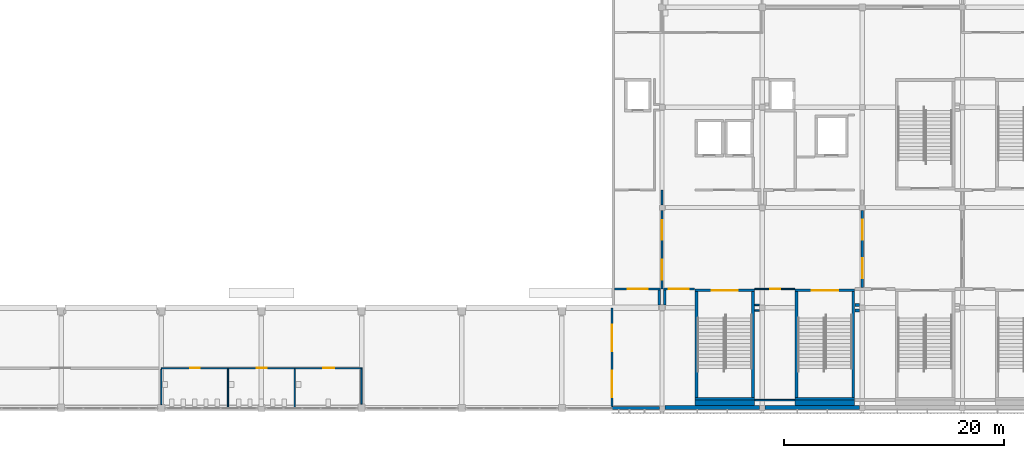
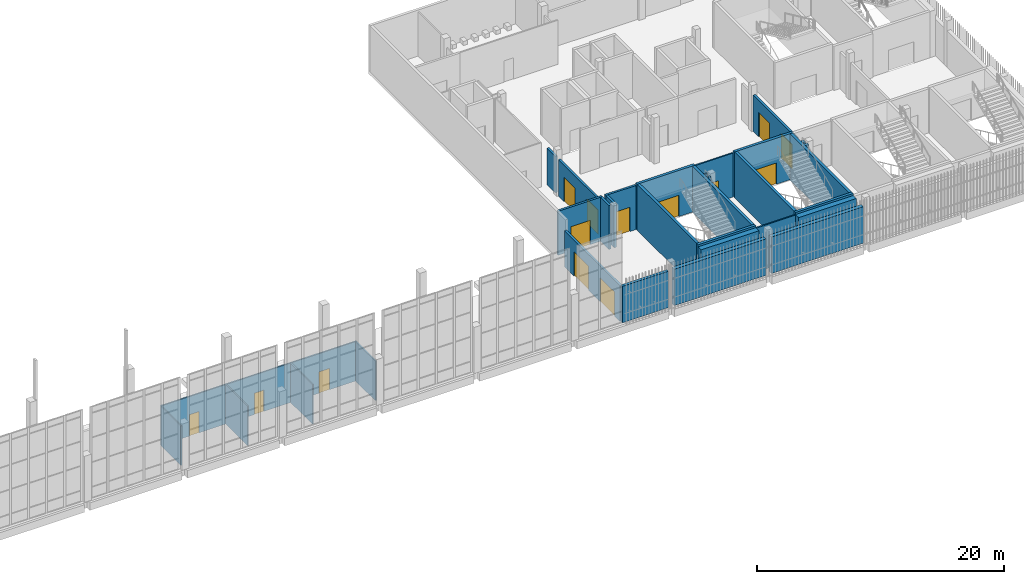
# One storey, part 44 of 91: 32 walls, 14 doors, 14 openings.
"""IFC4 building model written with IfcOpenShell, lengths in metres."""

from ifc_helpers import new_model, si_unit, direction, frame, frame_2d, origin, place, context, subcontext, project, spatial, rectangle, extrude, material, layer, layer_set, type_object, element, fill, save


model = new_model("IFC4")

# Units and contexts
model_context = context("Model", 3, precision=1e-05, world=origin(), true_north=direction((0.0, 1.0)))
body_context = subcontext(model_context, "Body", "Model", "MODEL_VIEW")
ifc_project = project(units=[si_unit("LENGTHUNIT", "METRE"), si_unit("AREAUNIT", "SQUARE_METRE"), si_unit("VOLUMEUNIT", "CUBIC_METRE"), si_unit("PLANEANGLEUNIT", "RADIAN"), si_unit("MASSUNIT", "GRAM", prefix="KILO")], contexts=[model_context])

# Site, building, storey
site_placement = place(None, origin())
site = spatial("IfcSite", under=ifc_project, at=site_placement, CompositionType="ELEMENT")
building_placement = place(site_placement, origin())
building = spatial("IfcBuilding", under=site, at=building_placement, Name="Shirokan Park Arena", CompositionType="ELEMENT")
storey_placement = place(building_placement, frame((0.0, 0.0, 24.570068359375)))
storey = spatial("IfcBuildingStorey", under=building, at=storey_placement, Name="L05", CompositionType="ELEMENT", Elevation=24.570068359375)

# Wall, openings, doors
ifc_material_1 = material(Name="Gypsum board")
ifc_layer_1 = layer(ifc_material_1, 0.02490234375, Name="Gypsum board, two layers")
ifc_material_2 = material(Name="Mineral wool insulation")
ifc_layer_2 = layer(ifc_material_2, 0.14990234375, Name="Mineral wool insulation")
ifc_layer_3 = layer(ifc_material_1, 0.02490234375, Name="Gypsum board, two layers")
ifc_layer_set_1 = layer_set([ifc_layer_1, ifc_layer_2, ifc_layer_3], Name="Gypsum board, two layers + Mineral wool insulation")
wall_type_1 = type_object("IfcWallType", Name="Corridor wall 200", PredefinedType="PARTITIONING", material=ifc_layer_set_1)
wall_1_placement = place(storey_placement, frame((104.64990234375, 0.10009765625, 0.0), z_axis=(0.0, 0.0, 1.0), x_axis=(0.0, 1.0, 0.0)))
wall_1 = element("IfcWall", 1, at=wall_1_placement, inside=storey, type_object=wall_type_1, Name="Corridor wall 200 L05", PredefinedType="PARTITIONING", context=body_context, shape_type="SweptSolid", body=[
    extrude(rectangle(XDim=8.969970703125, YDim=0.199951171875, at=frame_2d((4.48486328125, 0.0))), origin(), (0.0, 0.0, 1.0), 3.550048828125),
])
opening_1_placement = place(wall_1_placement, frame((5.050048828125, 0.0, 0.0)))
opening_1 = element("IfcOpeningElement", 2, at=opening_1_placement, cuts=wall_1, Name="Opening D-5091", PredefinedType="OPENING", context=body_context, shape_type="SweptSolid", body=[
    extrude(rectangle(XDim=2.39990234375, YDim=2.39990234375, at=frame_2d((1.199951171875, 1.199951171875))), frame((0.0, 0.10986328125, 0.0), z_axis=(0.0, -1.0, 0.0), x_axis=(1.0, 0.0, 0.0)), (0.0, 0.0, 1.0), 0.219970703125),
])
opening_2_placement = place(wall_1_placement, frame((0.85009765625, 0.0, 0.0)))
opening_2 = element("IfcOpeningElement", 3, at=opening_2_placement, cuts=wall_1, Name="Opening D-5092", PredefinedType="OPENING", context=body_context, shape_type="SweptSolid", body=[
    extrude(rectangle(XDim=2.39990234375, YDim=2.39990234375, at=frame_2d((1.199951171875, 1.199951171875))), frame((0.0, 0.10986328125, 0.0), z_axis=(0.0, -1.0, 0.0), x_axis=(1.0, 0.0, 0.0)), (0.0, 0.0, 1.0), 0.219970703125),
])
ifc_material_3 = material(Name="Steel door set, fire resisting", Category="steel")
door_type_1 = type_object("IfcDoorType", Name="Double door 2400 x 2400", OperationType="DOUBLE_DOOR_SINGLE_SWING", PredefinedType="DOOR", material=ifc_material_3)
door_1_placement = place(opening_1_placement, origin())
door_1 = element("IfcDoor", 4, at=door_1_placement, inside=storey, type_object=door_type_1, Name="Door between Ring Link 2.5 and Concourse L05 South Hall D-5091", OperationType="DOUBLE_DOOR_SINGLE_SWING", OverallHeight=2.39990234375, OverallWidth=2.39990234375, PredefinedType="DOOR", context=body_context, shape_type="SweptSolid", body=[
    extrude(rectangle(XDim=2.39990234375, YDim=2.39990234375, at=frame_2d((1.199951171875, 1.199951171875))), frame((0.0, 0.02490234375, 0.0), z_axis=(0.0, -1.0, 0.0), x_axis=(1.0, 0.0, 0.0)), (0.0, 0.0, 1.0), 0.050048828125),
])
fill(opening_1, door_1)
door_2_placement = place(opening_2_placement, origin())
door_2 = element("IfcDoor", 5, at=door_2_placement, inside=storey, type_object=door_type_1, Name="Door between Ring Link 2.5 and Concourse L05 South Hall D-5092", OperationType="DOUBLE_DOOR_SINGLE_SWING", OverallHeight=2.39990234375, OverallWidth=2.39990234375, PredefinedType="DOOR", context=body_context, shape_type="SweptSolid", body=[
    extrude(rectangle(XDim=2.39990234375, YDim=2.39990234375, at=frame_2d((1.199951171875, 1.199951171875))), frame((0.0, 0.02490234375, 0.0), z_axis=(0.0, -1.0, 0.0), x_axis=(1.0, 0.0, 0.0)), (0.0, 0.0, 1.0), 0.050048828125),
])
fill(opening_2, door_2)

# Wall
wall_2_placement = place(storey_placement, frame((108.949951171875, 9.35009765625, 0.0), z_axis=(0.0, 0.0, 1.0), x_axis=(0.0, 1.0, 0.0)))
element("IfcWall", 6, at=wall_2_placement, inside=storey, type_object=wall_type_1, Name="Corridor wall 200 L05", PredefinedType="PARTITIONING", context=body_context, shape_type="SweptSolid", body=[
    extrude(rectangle(XDim=1.349853515625, YDim=0.199951171875, at=frame_2d((0.6748046875, 0.0))), origin(), (0.0, 0.0, 1.0), 4.349853515625),
])

# Wall, opening, door
wall_3_placement = place(storey_placement, frame((109.050048828125, 10.800048828125, 0.0), z_axis=(0.0, 0.0, 1.0), x_axis=(-1.0, 0.0, 0.0)))
wall_3 = element("IfcWall", 7, at=wall_3_placement, inside=storey, type_object=wall_type_1, Name="Corridor wall 200 L05", PredefinedType="PARTITIONING", context=body_context, shape_type="SweptSolid", body=[
    extrude(rectangle(XDim=4.150146484375, YDim=0.199951171875, at=frame_2d((2.0751953125, 0.0))), origin(), (0.0, 0.0, 1.0), 4.349853515625),
])
opening_3_placement = place(wall_3_placement, frame((1.14990234375, 0.0, 0.0)))
opening_3 = element("IfcOpeningElement", 8, at=opening_3_placement, cuts=wall_3, Name="Opening D-5088", PredefinedType="OPENING", context=body_context, shape_type="SweptSolid", body=[
    extrude(rectangle(XDim=1.800048828125, YDim=2.39990234375, at=frame_2d((0.89990234375, 1.199951171875))), frame((0.0, 0.10986328125, 0.0), z_axis=(0.0, -1.0, 0.0), x_axis=(1.0, 0.0, 0.0)), (0.0, 0.0, 1.0), 0.219970703125),
])
ifc_material_4 = material(Name="Glazed steel door set, fire resisting", Category="steel")
door_type_2 = type_object("IfcDoorType", Name="Lift lobby door 1800 x 2400", OperationType="DOUBLE_DOOR_SINGLE_SWING", PredefinedType="DOOR", material=ifc_material_4)
door_3_placement = place(opening_3_placement, origin())
door_3 = element("IfcDoor", 9, at=door_3_placement, inside=storey, type_object=door_type_2, Name="Door between Upper Concourse Lobby 2.5.4 and Ring Link 2.5 D-5088", OperationType="DOUBLE_DOOR_SINGLE_SWING", OverallHeight=2.39990234375, OverallWidth=1.800048828125, PredefinedType="DOOR", context=body_context, shape_type="SweptSolid", body=[
    extrude(rectangle(XDim=1.800048828125, YDim=2.39990234375, at=frame_2d((0.89990234375, 1.199951171875))), frame((0.0, 0.02490234375, 0.0), z_axis=(0.0, -1.0, 0.0), x_axis=(1.0, 0.0, 0.0)), (0.0, 0.0, 1.0), 0.050048828125),
])
fill(opening_3, door_3)

# Wall, openings, doors
wall_4_placement = place(storey_placement, frame((109.199951171875, 10.800048828125, 0.0), z_axis=(0.0, 0.0, 1.0), x_axis=(0.0, 1.0, 0.0)))
wall_4 = element("IfcWall", 10, at=wall_4_placement, inside=storey, type_object=wall_type_1, Name="Corridor wall 200 L05", PredefinedType="PARTITIONING", context=body_context, shape_type="SweptSolid", body=[
    extrude(rectangle(XDim=7.14990234375, YDim=0.199951171875, at=frame_2d((3.574951171875, 0.0))), origin(), (0.0, 0.0, 1.0), 3.599853515625),
])
opening_4_placement = place(wall_4_placement, frame((0.85009765625, 0.0, 0.0)))
opening_4 = element("IfcOpeningElement", 11, at=opening_4_placement, cuts=wall_4, Name="Opening D-5083", PredefinedType="OPENING", context=body_context, shape_type="SweptSolid", body=[
    extrude(rectangle(XDim=1.800048828125, YDim=2.39990234375, at=frame_2d((0.89990234375, 1.199951171875))), frame((0.0, 0.10986328125, 0.0), z_axis=(0.0, -1.0, 0.0), x_axis=(1.0, 0.0, 0.0)), (0.0, 0.0, 1.0), 0.219970703125),
])
opening_5_placement = place(wall_4_placement, frame((4.449951171875, 0.0, 0.0)))
opening_5 = element("IfcOpeningElement", 12, at=opening_5_placement, cuts=wall_4, Name="Opening D-5084", PredefinedType="OPENING", context=body_context, shape_type="SweptSolid", body=[
    extrude(rectangle(XDim=1.800048828125, YDim=2.39990234375, at=frame_2d((0.89990234375, 1.199951171875))), frame((0.0, 0.10986328125, 0.0), z_axis=(0.0, -1.0, 0.0), x_axis=(1.0, 0.0, 0.0)), (0.0, 0.0, 1.0), 0.219970703125),
])
door_4_placement = place(opening_4_placement, origin())
door_4 = element("IfcDoor", 13, at=door_4_placement, inside=storey, type_object=door_type_2, Name="Door between Retail Arcade 2.5.3 and Upper Concourse Lobby 2.5.4 D-5083", OperationType="DOUBLE_DOOR_SINGLE_SWING", OverallHeight=2.39990234375, OverallWidth=1.800048828125, PredefinedType="DOOR", context=body_context, shape_type="SweptSolid", body=[
    extrude(rectangle(XDim=1.800048828125, YDim=2.39990234375, at=frame_2d((0.89990234375, 1.199951171875))), frame((0.0, 0.02490234375, 0.0), z_axis=(0.0, -1.0, 0.0), x_axis=(1.0, 0.0, 0.0)), (0.0, 0.0, 1.0), 0.050048828125),
])
fill(opening_4, door_4)
door_5_placement = place(opening_5_placement, origin())
door_5 = element("IfcDoor", 14, at=door_5_placement, inside=storey, type_object=door_type_2, Name="Door between Retail Arcade 2.5.3 and Upper Concourse Lobby 2.5.4 D-5084", OperationType="DOUBLE_DOOR_SINGLE_SWING", OverallHeight=2.39990234375, OverallWidth=1.800048828125, PredefinedType="DOOR", context=body_context, shape_type="SweptSolid", body=[
    extrude(rectangle(XDim=1.800048828125, YDim=2.39990234375, at=frame_2d((0.89990234375, 1.199951171875))), frame((0.0, 0.02490234375, 0.0), z_axis=(0.0, -1.0, 0.0), x_axis=(1.0, 0.0, 0.0)), (0.0, 0.0, 1.0), 0.050048828125),
])
fill(opening_5, door_5)

# Walls
wall_5_placement = place(storey_placement, frame((109.199951171875, 18.449951171875, 0.0), z_axis=(0.0, 0.0, 1.0), x_axis=(0.0, 1.0, 0.0)))
element("IfcWall", 15, at=wall_5_placement, inside=storey, type_object=wall_type_1, Name="Corridor wall 200 L05", PredefinedType="PARTITIONING", context=body_context, shape_type="SweptSolid", body=[
    extrude(rectangle(XDim=1.35009765625, YDim=0.199951171875, at=frame_2d((0.675048828125, 0.0))), origin(), (0.0, 0.0, 1.0), 3.599853515625),
])
wall_6_placement = place(storey_placement, frame((109.449951171875, 10.699951171875, 0.0), z_axis=(0.0, 0.0, 1.0), x_axis=(0.0, -1.0, 0.0)))
element("IfcWall", 16, at=wall_6_placement, inside=storey, type_object=wall_type_1, Name="Corridor wall 200 L05", PredefinedType="PARTITIONING", context=body_context, shape_type="SweptSolid", body=[
    extrude(rectangle(XDim=1.349853515625, YDim=0.199951171875, at=frame_2d((0.6748046875, 0.0))), origin(), (0.0, 0.0, 1.0), 4.349853515625),
])

# Wall, opening, door
wall_7_placement = place(storey_placement, frame((112.169921875, 10.800048828125, 0.0), z_axis=(0.0, 0.0, 1.0), x_axis=(-1.0, 0.0, 0.0)))
wall_7 = element("IfcWall", 17, at=wall_7_placement, inside=storey, type_object=wall_type_1, Name="Corridor wall 200 L05", PredefinedType="PARTITIONING", context=body_context, shape_type="SweptSolid", body=[
    extrude(rectangle(XDim=2.81982421875, YDim=0.199951171875, at=frame_2d((1.409912109375, 0.0))), origin(), (0.0, 0.0, 1.0), 4.349853515625),
])
opening_6_placement = place(wall_7_placement, frame((0.550048828125, 0.0, 0.0)))
opening_6 = element("IfcOpeningElement", 18, at=opening_6_placement, cuts=wall_7, Name="Opening D-5087", PredefinedType="OPENING", context=body_context, shape_type="SweptSolid", body=[
    extrude(rectangle(XDim=1.800048828125, YDim=2.39990234375, at=frame_2d((0.89990234375, 1.199951171875))), frame((0.0, 0.10986328125, 0.0), z_axis=(0.0, -1.0, 0.0), x_axis=(1.0, 0.0, 0.0)), (0.0, 0.0, 1.0), 0.219970703125),
])
door_6_placement = place(opening_6_placement, origin())
door_6 = element("IfcDoor", 19, at=door_6_placement, inside=storey, type_object=door_type_2, Name="Door between Retail Arcade 2.5.3 and Ring Link 2.5 D-5087", OperationType="DOUBLE_DOOR_SINGLE_SWING", OverallHeight=2.39990234375, OverallWidth=1.800048828125, PredefinedType="DOOR", context=body_context, shape_type="SweptSolid", body=[
    extrude(rectangle(XDim=1.800048828125, YDim=2.39990234375, at=frame_2d((0.89990234375, 1.199951171875))), frame((0.0, 0.02490234375, 0.0), z_axis=(0.0, -1.0, 0.0), x_axis=(1.0, 0.0, 0.0)), (0.0, 0.0, 1.0), 0.050048828125),
])
fill(opening_6, door_6)

# Wall, openings, doors
wall_8_placement = place(storey_placement, frame((127.39990234375, 10.9375, 0.0), z_axis=(0.0, 0.0, 1.0), x_axis=(0.0, 1.0, 0.0)))
wall_8 = element("IfcWall", 20, at=wall_8_placement, inside=storey, type_object=wall_type_1, Name="Corridor wall 200 L05", PredefinedType="PARTITIONING", context=body_context, shape_type="SweptSolid", body=[
    extrude(rectangle(XDim=7.012451171875, YDim=0.199951171875, at=frame_2d((3.50634765625, 0.0))), origin(), (0.0, 0.0, 1.0), 3.599853515625),
])
opening_7_placement = place(wall_8_placement, frame((0.85009765625, 0.0, 0.0)))
opening_7 = element("IfcOpeningElement", 21, at=opening_7_placement, cuts=wall_8, Name="Opening D-5081", PredefinedType="OPENING", context=body_context, shape_type="SweptSolid", body=[
    extrude(rectangle(XDim=1.800048828125, YDim=2.39990234375, at=frame_2d((0.89990234375, 1.199951171875))), frame((0.0, 0.10986328125, 0.0), z_axis=(0.0, -1.0, 0.0), x_axis=(1.0, 0.0, 0.0)), (0.0, 0.0, 1.0), 0.219970703125),
])
opening_8_placement = place(wall_8_placement, frame((4.35009765625, 0.0, 0.0)))
opening_8 = element("IfcOpeningElement", 22, at=opening_8_placement, cuts=wall_8, Name="Opening D-5082", PredefinedType="OPENING", context=body_context, shape_type="SweptSolid", body=[
    extrude(rectangle(XDim=1.800048828125, YDim=2.39990234375, at=frame_2d((0.89990234375, 1.199951171875))), frame((0.0, 0.10986328125, 0.0), z_axis=(0.0, -1.0, 0.0), x_axis=(1.0, 0.0, 0.0)), (0.0, 0.0, 1.0), 0.219970703125),
])
door_7_placement = place(opening_7_placement, origin())
door_7 = element("IfcDoor", 23, at=door_7_placement, inside=storey, type_object=door_type_2, Name="Door between Stair Lobby 2.5.2 and Retail Arcade 2.5.3 D-5081", OperationType="DOUBLE_DOOR_SINGLE_SWING", OverallHeight=2.39990234375, OverallWidth=1.800048828125, PredefinedType="DOOR", context=body_context, shape_type="SweptSolid", body=[
    extrude(rectangle(XDim=1.800048828125, YDim=2.39990234375, at=frame_2d((0.89990234375, 1.199951171875))), frame((0.0, 0.02490234375, 0.0), z_axis=(0.0, -1.0, 0.0), x_axis=(1.0, 0.0, 0.0)), (0.0, 0.0, 1.0), 0.050048828125),
])
fill(opening_7, door_7)
door_8_placement = place(opening_8_placement, origin())
door_8 = element("IfcDoor", 24, at=door_8_placement, inside=storey, type_object=door_type_2, Name="Door between Stair Lobby 2.5.2 and Retail Arcade 2.5.3 D-5082", OperationType="DOUBLE_DOOR_SINGLE_SWING", OverallHeight=2.39990234375, OverallWidth=1.800048828125, PredefinedType="DOOR", context=body_context, shape_type="SweptSolid", body=[
    extrude(rectangle(XDim=1.800048828125, YDim=2.39990234375, at=frame_2d((0.89990234375, 1.199951171875))), frame((0.0, 0.02490234375, 0.0), z_axis=(0.0, -1.0, 0.0), x_axis=(1.0, 0.0, 0.0)), (0.0, 0.0, 1.0), 0.050048828125),
])
fill(opening_8, door_8)

# Walls
ifc_material_5 = material(Name="Cedar cladding")
ifc_layer_4 = layer(ifc_material_5, 0.030029296875, Name="Cedar cladding")
ifc_layer_5 = layer(ifc_material_2, 0.10009765625, Name="Mineral wool insulation")
ifc_material_6 = material(Name="Concrete C35", Category="concrete")
ifc_layer_6 = layer(ifc_material_6, 0.199951171875, Name="Concrete C35")
ifc_material_7 = material(Name="Gypsum board lining")
ifc_layer_7 = layer(ifc_material_7, 0.02001953125, Name="Gypsum board lining")
ifc_layer_set_2 = layer_set([ifc_layer_4, ifc_layer_5, ifc_layer_6, ifc_layer_7], Name="Cedar cladding + Mineral wool insulation + Concrete C35 + Gypsum board lining")
wall_type_2 = type_object("IfcWallType", Name="Insulated tower wall 350", PredefinedType="SOLIDWALL", material=ifc_layer_set_2)
wall_9_placement = place(storey_placement, frame((109.449951171875, 0.02490234375, 0.0), z_axis=(0.0, 0.0, 1.0), x_axis=(1.0, 0.0, 0.0)))
element("IfcWall", 25, at=wall_9_placement, inside=storey, type_object=wall_type_2, Name="South facade wall bay 13 L05", PredefinedType="SOLIDWALL", context=body_context, shape_type="SweptSolid", body=[
    extrude(rectangle(XDim=8.60009765625, YDim=0.35009765625, at=frame_2d((4.300048828125, 0.0))), origin(), (0.0, 0.0, 1.0), 3.599853515625),
])
wall_10_placement = place(storey_placement, frame((118.550048828125, 0.02490234375, 0.0), z_axis=(0.0, 0.0, 1.0), x_axis=(1.0, 0.0, 0.0)))
element("IfcWall", 26, at=wall_10_placement, inside=storey, type_object=wall_type_2, Name="South facade wall bay 14 L05", PredefinedType="SOLIDWALL", context=body_context, shape_type="SweptSolid", body=[
    extrude(rectangle(XDim=8.599853515625, YDim=0.35009765625, at=frame_2d((4.2998046875, 0.0))), origin(), (0.0, 0.0, 1.0), 3.599853515625),
])
ifc_layer_8 = layer(ifc_material_6, 0.125)
ifc_layer_set_3 = layer_set([ifc_layer_8], Name="Concrete C35 125 mm")
wall_type_3 = type_object("IfcWallType", Name="Pavilion RC wall 125", PredefinedType="SOLIDWALL", material=ifc_layer_set_3)
wall_11_placement = place(storey_placement, frame((63.699951171875, 3.5, 0.0), z_axis=(0.0, 0.0, 1.0), x_axis=(0.0, -1.0, 0.0)))
element("IfcWall", 27, at=wall_11_placement, inside=storey, type_object=wall_type_3, Name="Wet-area wall 125 L05", PredefinedType="PARTITIONING", context=body_context, shape_type="SweptSolid", body=[
    extrude(rectangle(XDim=3.199951171875, YDim=0.125, at=frame_2d((1.60009765625, 0.0))), origin(), (0.0, 0.0, 1.0), 3.89990234375),
])
wall_12_placement = place(storey_placement, frame((69.7666015625, 3.53759765625, 0.0), z_axis=(0.0, 0.0, 1.0), x_axis=(0.0, -1.0, 0.0)))
element("IfcWall", 28, at=wall_12_placement, inside=storey, type_object=wall_type_3, Name="Wet-area wall 125 L05", PredefinedType="PARTITIONING", context=body_context, shape_type="SweptSolid", body=[
    extrude(rectangle(XDim=3.507568359375, YDim=0.125, at=frame_2d((1.75390625, 0.0))), origin(), (0.0, 0.0, 1.0), 3.89990234375),
])

# Wall, openings, doors
wall_13_placement = place(storey_placement, frame((63.699951171875, 3.60009765625, 0.0), z_axis=(0.0, 0.0, 1.0), x_axis=(1.0, 0.0, 0.0)))
wall_13 = element("IfcWall", 29, at=wall_13_placement, inside=storey, type_object=wall_type_3, Name="Wet-area wall 125 L05", PredefinedType="PARTITIONING", context=body_context, shape_type="SweptSolid", body=[
    extrude(rectangle(XDim=18.262451171875, YDim=0.125, at=frame_2d((9.13134765625, 0.0))), origin(), (0.0, 0.0, 1.0), 3.89990234375),
])
opening_9_placement = place(wall_13_placement, frame((2.61669921875, 0.0, 0.0)))
opening_9 = element("IfcOpeningElement", 30, at=opening_9_placement, cuts=wall_13, Name="Opening D-5052", PredefinedType="OPENING", context=body_context, shape_type="SweptSolid", body=[
    extrude(rectangle(XDim=0.89990234375, YDim=2.10009765625, at=frame_2d((0.449951171875, 1.050048828125))), frame((0.0, 0.072509765625, 0.0), z_axis=(0.0, -1.0, 0.0), x_axis=(1.0, 0.0, 0.0)), (0.0, 0.0, 1.0), 0.14501953125),
])
opening_10_placement = place(wall_13_placement, frame((8.683349609375, 0.0, 0.0)))
opening_10 = element("IfcOpeningElement", 31, at=opening_10_placement, cuts=wall_13, Name="Opening D-5053", PredefinedType="OPENING", context=body_context, shape_type="SweptSolid", body=[
    extrude(rectangle(XDim=0.89990234375, YDim=2.10009765625, at=frame_2d((0.449951171875, 1.050048828125))), frame((0.0, 0.072509765625, 0.0), z_axis=(0.0, -1.0, 0.0), x_axis=(1.0, 0.0, 0.0)), (0.0, 0.0, 1.0), 0.14501953125),
])
opening_11_placement = place(wall_13_placement, frame((14.71240234375, 0.0, 0.0)))
opening_11 = element("IfcOpeningElement", 32, at=opening_11_placement, cuts=wall_13, Name="Opening D-5054", PredefinedType="OPENING", context=body_context, shape_type="SweptSolid", body=[
    extrude(rectangle(XDim=1.0, YDim=2.10009765625, at=frame_2d((0.5, 1.050048828125))), frame((0.0, 0.072509765625, 0.0), z_axis=(0.0, -1.0, 0.0), x_axis=(1.0, 0.0, 0.0)), (0.0, 0.0, 1.0), 0.14501953125),
])
ifc_material_8 = material(Name="Timber door set, fire resisting", Category="wood")
door_type_3 = type_object("IfcDoorType", Name="Accessible WC door 1000 x 2100", OperationType="SINGLE_SWING_RIGHT", PredefinedType="DOOR", material=ifc_material_8)
door_9_placement = place(opening_11_placement, origin())
door_9 = element("IfcDoor", 33, at=door_9_placement, inside=storey, type_object=door_type_3, Name="Door to Accessible WC 5.44 D-5054", OperationType="SINGLE_SWING_RIGHT", OverallHeight=2.10009765625, OverallWidth=1.0, PredefinedType="DOOR", context=body_context, shape_type="SweptSolid", body=[
    extrude(rectangle(XDim=1.0, YDim=2.10009765625, at=frame_2d((0.5, 1.050048828125))), frame((0.0, 0.02490234375, 0.0), z_axis=(0.0, -1.0, 0.0), x_axis=(1.0, 0.0, 0.0)), (0.0, 0.0, 1.0), 0.050048828125),
])
fill(opening_11, door_9)
door_type_4 = type_object("IfcDoorType", Name="Door 900 x 2100", OperationType="SINGLE_SWING_LEFT", PredefinedType="DOOR", material=ifc_material_8)
door_10_placement = place(opening_9_placement, origin())
door_10 = element("IfcDoor", 34, at=door_10_placement, inside=storey, type_object=door_type_4, Name="Door to Men's WC 5.42 D-5052", OperationType="SINGLE_SWING_RIGHT", OverallHeight=2.10009765625, OverallWidth=0.89990234375, PredefinedType="DOOR", context=body_context, shape_type="SweptSolid", body=[
    extrude(rectangle(XDim=0.89990234375, YDim=2.10009765625, at=frame_2d((0.449951171875, 1.050048828125))), frame((0.0, 0.02490234375, 0.0), z_axis=(0.0, -1.0, 0.0), x_axis=(1.0, 0.0, 0.0)), (0.0, 0.0, 1.0), 0.050048828125),
])
fill(opening_9, door_10)
door_11_placement = place(opening_10_placement, origin())
door_11 = element("IfcDoor", 35, at=door_11_placement, inside=storey, type_object=door_type_4, Name="Door to Women's WC 5.43 D-5053", OperationType="SINGLE_SWING_RIGHT", OverallHeight=2.10009765625, OverallWidth=0.89990234375, PredefinedType="DOOR", context=body_context, shape_type="SweptSolid", body=[
    extrude(rectangle(XDim=0.89990234375, YDim=2.10009765625, at=frame_2d((0.449951171875, 1.050048828125))), frame((0.0, 0.02490234375, 0.0), z_axis=(0.0, -1.0, 0.0), x_axis=(1.0, 0.0, 0.0)), (0.0, 0.0, 1.0), 0.050048828125),
])
fill(opening_10, door_11)

# Walls
wall_14_placement = place(storey_placement, frame((75.833251953125, 3.53759765625, 0.0), z_axis=(0.0, 0.0, 1.0), x_axis=(0.0, -1.0, 0.0)))
element("IfcWall", 36, at=wall_14_placement, inside=storey, type_object=wall_type_3, Name="Wet-area wall 125 L05", PredefinedType="PARTITIONING", context=body_context, shape_type="SweptSolid", body=[
    extrude(rectangle(XDim=3.507568359375, YDim=0.125, at=frame_2d((1.75390625, 0.0))), origin(), (0.0, 0.0, 1.0), 3.89990234375),
])
wall_15_placement = place(storey_placement, frame((81.89990234375, 0.324951171875, 0.0), z_axis=(0.0, 0.0, 1.0), x_axis=(0.0, 1.0, 0.0)))
element("IfcWall", 37, at=wall_15_placement, inside=storey, type_object=wall_type_3, Name="Wet-area wall 125 L05", PredefinedType="PARTITIONING", context=body_context, shape_type="SweptSolid", body=[
    extrude(rectangle(XDim=3.212646484375, YDim=0.125, at=frame_2d((1.6064453125, 0.0))), origin(), (0.0, 0.0, 1.0), 3.89990234375),
])
ifc_material_9 = material(Name="Plaster")
ifc_layer_9 = layer(ifc_material_9, 0.012451171875, Name="Plaster")
ifc_material_10 = material(Name="Concrete blockwork", Category="masonry")
ifc_layer_10 = layer(ifc_material_10, 0.25, Name="Concrete blockwork 250")
ifc_layer_11 = layer(ifc_material_9, 0.012451171875, Name="Plaster")
ifc_layer_set_4 = layer_set([ifc_layer_9, ifc_layer_10, ifc_layer_11], Name="Plaster + Concrete blockwork 250")
wall_type_4 = type_object("IfcWallType", Name="Plant room wall 275", PredefinedType="SOLIDWALL", material=ifc_layer_set_4)
for number, where, z_axis, x_axis, name in (
    (38, (126.72998046875, 8.85009765625, 0.0), (0.0, 0.0, 1.0), (1.0, 0.0, 0.0), "Plant room wall 275 L05"),
    (39, (127.14990234375, 9.35009765625, 0.0), (0.0, 0.0, 1.0), (-1.0, 0.0, 0.0), "Plant room wall 275 L05"),
):
    element("IfcWall", number, at=place(storey_placement, frame(where, z_axis=z_axis, x_axis=x_axis)), inside=storey, type_object=wall_type_4, Name=name, PredefinedType="SOLIDWALL", context=body_context, shape_type="SweptSolid", body=[
        extrude(rectangle(XDim=0.419921875, YDim=0.27490234375, at=frame_2d((0.2099609375, 0.0))), origin(), (0.0, 0.0, 1.0), 4.349853515625),
    ])
ifc_material_11 = material(Name="Concrete C40/50 precast", Category="concrete")
ifc_layer_12 = layer(ifc_material_11, 0.10009765625, Name="Concrete C40/50 precast")
ifc_layer_13 = layer(ifc_material_2, 0.10009765625, Name="Mineral wool insulation")
ifc_layer_14 = layer(ifc_material_7, 0.050048828125, Name="Gypsum board lining")
ifc_layer_set_5 = layer_set([ifc_layer_12, ifc_layer_13, ifc_layer_14], Name="Concrete C40/50 precast + Mineral wool insulation + Gypsum board lining")
wall_type_5 = type_object("IfcWallType", Name="Precast concrete panel wall 250", PredefinedType="SOLIDWALL", material=ifc_layer_set_5)
wall_16_placement = place(storey_placement, frame((104.64990234375, -0.02490234375, 0.0), z_axis=(0.0, 0.0, 1.0), x_axis=(1.0, 0.0, 0.0)))
element("IfcWall", 40, at=wall_16_placement, inside=storey, type_object=wall_type_5, Name="South facade wall bay 12 L05", PredefinedType="SOLIDWALL", context=body_context, shape_type="SweptSolid", body=[
    extrude(rectangle(XDim=4.300048828125, YDim=0.25, at=frame_2d((2.14990234375, 0.0))), origin(), (0.0, 0.0, 1.0), 3.599853515625),
])
ifc_material_12 = material(Name="Concrete C40/50", Category="concrete")
ifc_layer_15 = layer(ifc_material_12, 0.25)
ifc_layer_set_6 = layer_set([ifc_layer_15], Name="Concrete C40/50 250 mm")
wall_type_6 = type_object("IfcWallType", Name="RC shear wall 250", PredefinedType="SHEAR", material=ifc_layer_set_6)
wall_17_placement = place(storey_placement, frame((126.699951171875, 0.824951171875, 0.0), z_axis=(0.0, 0.0, 1.0), x_axis=(-1.0, 0.0, 0.0)))
element("IfcWall", 41, at=wall_17_placement, inside=storey, type_object=wall_type_6, Name="Shaft wall Exit Stair 2.C S L05", PredefinedType="SHEAR", context=body_context, shape_type="SweptSolid", body=[
    extrude(rectangle(XDim=5.39990234375, YDim=0.25, at=frame_2d((2.699951171875, 0.0))), origin(), (0.0, 0.0, 1.0), 4.550048828125),
])

# Wall, opening, door
wall_18_placement = place(storey_placement, frame((126.699951171875, 10.675048828125, 0.0), z_axis=(0.0, 0.0, 1.0), x_axis=(-1.0, 0.0, 0.0)))
wall_18 = element("IfcWall", 42, at=wall_18_placement, inside=storey, type_object=wall_type_6, Name="Shaft wall Exit Stair 2.C N L05", PredefinedType="SHEAR", context=body_context, shape_type="SweptSolid", body=[
    extrude(rectangle(XDim=5.39990234375, YDim=0.25, at=frame_2d((2.699951171875, 0.0))), origin(), (0.0, 0.0, 1.0), 4.550048828125),
])
opening_12_placement = place(wall_18_placement, frame((1.5, 0.0, 0.0)))
opening_12 = element("IfcOpeningElement", 43, at=opening_12_placement, cuts=wall_18, Name="Opening D-5137", PredefinedType="OPENING", context=body_context, shape_type="SweptSolid", body=[
    extrude(rectangle(XDim=2.39990234375, YDim=2.10009765625, at=frame_2d((1.199951171875, 1.050048828125))), frame((0.0, 0.135009765625, 0.0), z_axis=(0.0, -1.0, 0.0), x_axis=(1.0, 0.0, 0.0)), (0.0, 0.0, 1.0), 0.27001953125),
])
door_type_5 = type_object("IfcDoorType", Name="Stair door 2400 x 2100", OperationType="DOUBLE_DOOR_SINGLE_SWING", PredefinedType="DOOR", material=ifc_material_3)
door_12_placement = place(opening_12_placement, origin())
door_12 = element("IfcDoor", 44, at=door_12_placement, inside=storey, type_object=door_type_5, Name="Stair door Exit Stair 2.C D-5137", OperationType="DOUBLE_DOOR_SINGLE_SWING", OverallHeight=2.10009765625, OverallWidth=2.39990234375, PredefinedType="DOOR", context=body_context, shape_type="SweptSolid", body=[
    extrude(rectangle(XDim=2.39990234375, YDim=2.10009765625, at=frame_2d((1.199951171875, 1.050048828125))), frame((0.0, 0.02490234375, 0.0), z_axis=(0.0, -1.0, 0.0), x_axis=(1.0, 0.0, 0.0)), (0.0, 0.0, 1.0), 0.050048828125),
])
fill(opening_12, door_12)

# Walls
for number, where, z_axis, x_axis, name in (
    (45, (121.425048828125, 10.550048828125, 0.0), (0.0, 0.0, 1.0), (0.0, -1.0, 0.0), "Shaft wall Exit Stair 2.C W L05"),
    (46, (126.574951171875, 10.550048828125, 0.0), (0.0, 0.0, 1.0), (0.0, -1.0, 0.0), "Shaft wall Exit Stair 2.C E L05"),
):
    element("IfcWall", number, at=place(storey_placement, frame(where, z_axis=z_axis, x_axis=x_axis)), inside=storey, type_object=wall_type_6, Name=name, PredefinedType="SHEAR", context=body_context, shape_type="SweptSolid", body=[
        extrude(rectangle(XDim=9.60009765625, YDim=0.25, at=frame_2d((4.800048828125, 0.0))), origin(), (0.0, 0.0, 1.0), 4.550048828125),
    ])
wall_19_placement = place(storey_placement, frame((117.60009765625, 0.824951171875, 0.0), z_axis=(0.0, 0.0, 1.0), x_axis=(-1.0, 0.0, 0.0)))
element("IfcWall", 47, at=wall_19_placement, inside=storey, type_object=wall_type_6, Name="Shaft wall Exit Stair 2.D S L05", PredefinedType="SHEAR", context=body_context, shape_type="SweptSolid", body=[
    extrude(rectangle(XDim=5.400146484375, YDim=0.25, at=frame_2d((2.7001953125, 0.0))), origin(), (0.0, 0.0, 1.0), 4.550048828125),
])

# Wall, opening, door
wall_20_placement = place(storey_placement, frame((117.60009765625, 10.675048828125, 0.0), z_axis=(0.0, 0.0, 1.0), x_axis=(-1.0, 0.0, 0.0)))
wall_20 = element("IfcWall", 48, at=wall_20_placement, inside=storey, type_object=wall_type_6, Name="Shaft wall Exit Stair 2.D N L05", PredefinedType="SHEAR", context=body_context, shape_type="SweptSolid", body=[
    extrude(rectangle(XDim=5.400146484375, YDim=0.25, at=frame_2d((2.7001953125, 0.0))), origin(), (0.0, 0.0, 1.0), 4.550048828125),
])
opening_13_placement = place(wall_20_placement, frame((1.5, 0.0, 0.0)))
opening_13 = element("IfcOpeningElement", 49, at=opening_13_placement, cuts=wall_20, Name="Opening D-5138", PredefinedType="OPENING", context=body_context, shape_type="SweptSolid", body=[
    extrude(rectangle(XDim=2.39990234375, YDim=2.10009765625, at=frame_2d((1.199951171875, 1.050048828125))), frame((0.0, 0.135009765625, 0.0), z_axis=(0.0, -1.0, 0.0), x_axis=(1.0, 0.0, 0.0)), (0.0, 0.0, 1.0), 0.27001953125),
])
door_13_placement = place(opening_13_placement, origin())
door_13 = element("IfcDoor", 50, at=door_13_placement, inside=storey, type_object=door_type_5, Name="Stair door Exit Stair 2.D D-5138", OperationType="DOUBLE_DOOR_SINGLE_SWING", OverallHeight=2.10009765625, OverallWidth=2.39990234375, PredefinedType="DOOR", context=body_context, shape_type="SweptSolid", body=[
    extrude(rectangle(XDim=2.39990234375, YDim=2.10009765625, at=frame_2d((1.199951171875, 1.050048828125))), frame((0.0, 0.02490234375, 0.0), z_axis=(0.0, -1.0, 0.0), x_axis=(1.0, 0.0, 0.0)), (0.0, 0.0, 1.0), 0.050048828125),
])
fill(opening_13, door_13)

# Walls
for number, where, z_axis, x_axis, name in (
    (51, (112.324951171875, 10.550048828125, 0.0), (0.0, 0.0, 1.0), (0.0, -1.0, 0.0), "Shaft wall Exit Stair 2.D W L05"),
    (52, (117.47509765625, 10.550048828125, 0.0), (0.0, 0.0, 1.0), (0.0, -1.0, 0.0), "Shaft wall Exit Stair 2.D E L05"),
):
    element("IfcWall", number, at=place(storey_placement, frame(where, z_axis=z_axis, x_axis=x_axis)), inside=storey, type_object=wall_type_6, Name=name, PredefinedType="SHEAR", context=body_context, shape_type="SweptSolid", body=[
        extrude(rectangle(XDim=9.60009765625, YDim=0.25, at=frame_2d((4.800048828125, 0.0))), origin(), (0.0, 0.0, 1.0), 4.550048828125),
    ])
ifc_layer_16 = layer(ifc_material_6, 0.5)
ifc_layer_set_7 = layer_set([ifc_layer_16], Name="Concrete C35 500 mm")
wall_type_7 = type_object("IfcWallType", Name="Shaft infill wall 500", PredefinedType="SOLIDWALL", material=ifc_layer_set_7)
wall_21_placement = place(storey_placement, frame((121.300048828125, 0.449951171875, 0.0), z_axis=(0.0, 0.0, 1.0), x_axis=(1.0, 0.0, 0.0)))
element("IfcWall", 53, at=wall_21_placement, inside=storey, type_object=wall_type_7, Name="Shaft infill wall L05", PredefinedType="SOLIDWALL", context=body_context, shape_type="SweptSolid", body=[
    extrude(rectangle(XDim=5.39990234375, YDim=0.5, at=frame_2d((2.699951171875, 0.0))), origin(), (0.0, 0.0, 1.0), 4.349853515625),
])
wall_22_placement = place(storey_placement, frame((112.199951171875, 0.449951171875, 0.0), z_axis=(0.0, 0.0, 1.0), x_axis=(1.0, 0.0, 0.0)))
element("IfcWall", 54, at=wall_22_placement, inside=storey, type_object=wall_type_7, Name="Shaft infill wall L05", PredefinedType="SOLIDWALL", context=body_context, shape_type="SweptSolid", body=[
    extrude(rectangle(XDim=5.400146484375, YDim=0.5, at=frame_2d((2.7001953125, 0.0))), origin(), (0.0, 0.0, 1.0), 4.349853515625),
])
ifc_material_13 = material(Name="Ceramic tile")
ifc_layer_17 = layer(ifc_material_13, 0.010009765625, Name="Ceramic tile")
ifc_material_14 = material(Name="Cement board")
ifc_layer_18 = layer(ifc_material_14, 0.012451171875, Name="Cement board")
ifc_layer_19 = layer(ifc_material_2, 0.080078125, Name="Mineral wool insulation")
ifc_layer_20 = layer(ifc_material_14, 0.012451171875, Name="Cement board")
ifc_layer_21 = layer(ifc_material_13, 0.010009765625, Name="Ceramic tile")
ifc_layer_set_8 = layer_set([ifc_layer_17, ifc_layer_18, ifc_layer_19, ifc_layer_20, ifc_layer_21], Name="Ceramic tile + Cement board + Mineral wool insulation")
wall_type_8 = type_object("IfcWallType", Name="Wet-area wall 125", PredefinedType="PARTITIONING", material=ifc_layer_set_8)
for number, where, z_axis, x_axis, name in (
    (55, (117.6298828125, 8.85009765625, 0.0), (0.0, 0.0, 1.0), (1.0, 0.0, 0.0), "Wet-area wall 125 L05"),
    (56, (118.050048828125, 9.35009765625, 0.0), (0.0, 0.0, 1.0), (-1.0, 0.0, 0.0), "Wet-area wall 125 L05"),
):
    element("IfcWall", number, at=place(storey_placement, frame(where, z_axis=z_axis, x_axis=x_axis)), inside=storey, type_object=wall_type_8, Name=name, PredefinedType="PARTITIONING", context=body_context, shape_type="SweptSolid", body=[
        extrude(rectangle(XDim=0.420166015625, YDim=0.125, at=frame_2d((0.2099609375, 0.0))), origin(), (0.0, 0.0, 1.0), 4.349853515625),
    ])
wall_23_placement = place(storey_placement, frame((121.27001953125, 0.699951171875, 0.0), z_axis=(0.0, 0.0, 1.0), x_axis=(-1.0, 0.0, 0.0)))
element("IfcWall", 57, at=wall_23_placement, inside=storey, type_object=wall_type_8, Name="Wet-area wall 125 L05", PredefinedType="PARTITIONING", context=body_context, shape_type="SweptSolid", body=[
    extrude(rectangle(XDim=3.64013671875, YDim=0.125, at=frame_2d((1.820068359375, 0.0))), origin(), (0.0, 0.0, 1.0), 4.349853515625),
])

# Wall, opening, door
wall_24_placement = place(storey_placement, frame((121.27001953125, 10.800048828125, 0.0), z_axis=(0.0, 0.0, 1.0), x_axis=(-1.0, 0.0, 0.0)))
wall_24 = element("IfcWall", 58, at=wall_24_placement, inside=storey, type_object=wall_type_8, Name="Wet-area wall 125 L05", PredefinedType="PARTITIONING", context=body_context, shape_type="SweptSolid", body=[
    extrude(rectangle(XDim=3.64013671875, YDim=0.125, at=frame_2d((1.820068359375, 0.0))), origin(), (0.0, 0.0, 1.0), 4.349853515625),
])
opening_14_placement = place(wall_24_placement, frame((1.35009765625, 0.0, 0.0)))
opening_14 = element("IfcOpeningElement", 59, at=opening_14_placement, cuts=wall_24, Name="Opening D-5019", PredefinedType="OPENING", context=body_context, shape_type="SweptSolid", body=[
    extrude(rectangle(XDim=0.89990234375, YDim=2.10009765625, at=frame_2d((0.449951171875, 1.050048828125))), frame((0.0, 0.072509765625, 0.0), z_axis=(0.0, -1.0, 0.0), x_axis=(1.0, 0.0, 0.0)), (0.0, 0.0, 1.0), 0.14501953125),
])
door_14_placement = place(opening_14_placement, origin())
door_14 = element("IfcDoor", 60, at=door_14_placement, inside=storey, type_object=door_type_4, Name="Door to Staff WC 5.22 D-5019", OperationType="SINGLE_SWING_RIGHT", OverallHeight=2.10009765625, OverallWidth=0.89990234375, PredefinedType="DOOR", context=body_context, shape_type="SweptSolid", body=[
    extrude(rectangle(XDim=0.89990234375, YDim=2.10009765625, at=frame_2d((0.449951171875, 1.050048828125))), frame((0.0, 0.02490234375, 0.0), z_axis=(0.0, -1.0, 0.0), x_axis=(1.0, 0.0, 0.0)), (0.0, 0.0, 1.0), 0.050048828125),
])
fill(opening_14, door_14)

save(model, "model.ifc")
